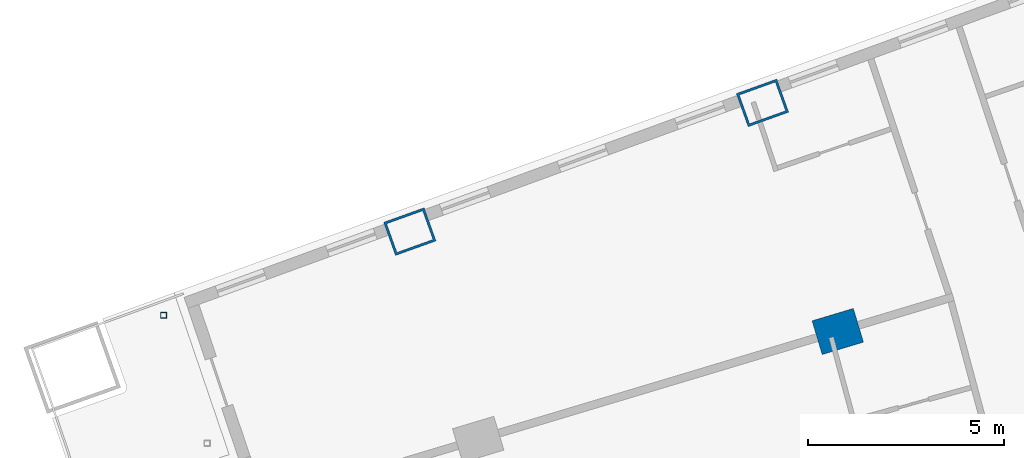
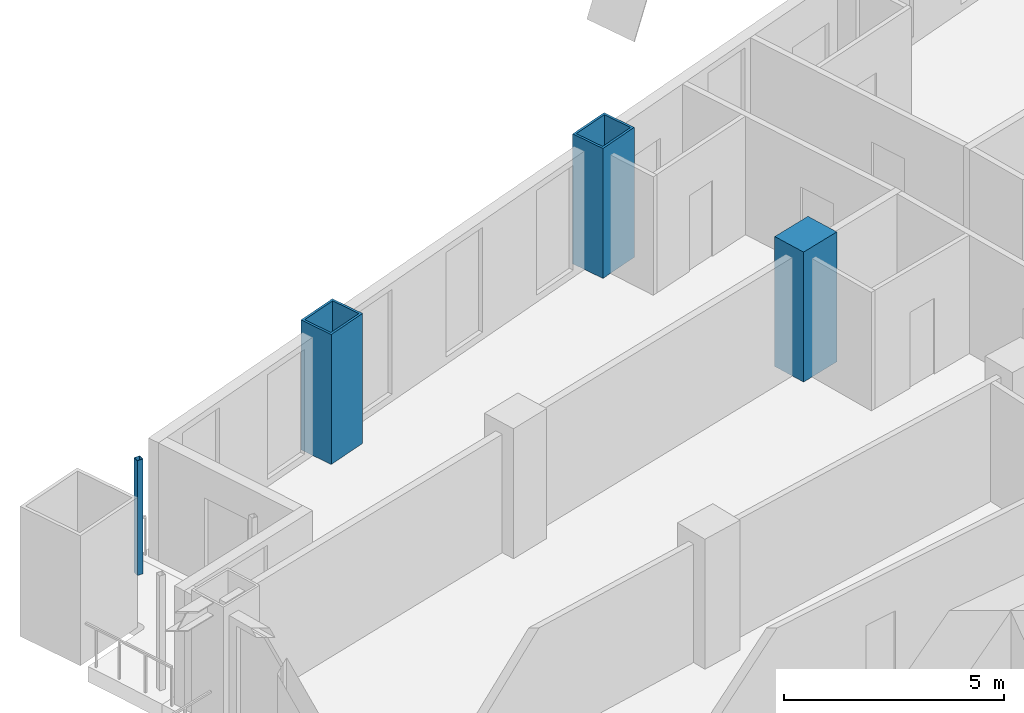
# One storey, part 9 of 25: 4 columns.
"""IFC4 building model written with IfcOpenShell, lengths in metres."""

import ifcopenshell
import ifcopenshell.guid

model = None  # the IFC model being written
_history = None  # IfcOwnerHistory: only IFC2X3 demands one
_inside = {}  # id of a spatial element -> (the spatial element, [elements in it])
_under = {}  # id of a project, library or spatial element -> (it, [spatial elements below it])
_declared = {}  # id of a project -> (the project, [libraries it declares])
_typed = {}  # id of a type object -> (the type object, [elements of that type])
_made_of = {}  # id of a material, layer set ... -> (it, [elements and type objects made of it])


def new_model(schema):
    """Start an empty IFC model of exactly this schema.

    Asked for "IFC4X3", IfcOpenShell would pick the latest addendum, in which some entities
    have other attributes; the version numbers below select the first issue.
    IFC2X3 requires an IfcOwnerHistory on every rooted entity: one is made here for all.
    """
    global model, _history
    if schema == "IFC4X3":
        model = ifcopenshell.file(schema_version=(4, 3, 0, 0))
    else:
        model = ifcopenshell.file(schema=schema)
    _inside.clear()
    _under.clear()
    _declared.clear()
    _typed.clear()
    _made_of.clear()
    _history = None
    if model.schema == "IFC2X3":
        org = make("IfcOrganization", Name="unknown")
        user = make(
            "IfcPersonAndOrganization",
            ThePerson=make("IfcPerson", FamilyName="unknown"),
            TheOrganization=org,
        )
        app = make(
            "IfcApplication",
            ApplicationDeveloper=org,
            Version="unknown",
            ApplicationFullName="unknown",
            ApplicationIdentifier="unknown",
        )
        _history = make(
            "IfcOwnerHistory",
            OwningUser=user,
            OwningApplication=app,
            ChangeAction="ADDED",
            CreationDate=0,
        )
    return model


def make(cls, **values):
    """One entity of the class cls with the attributes given. An attribute that is None is left unset."""
    return model.create_entity(
        cls, **{name: value for name, value in values.items() if value is not None}
    )


def rooted(cls, **values):
    """An entity with a GlobalId (a new one), such as an element, a storey or a relation."""
    return make(cls, GlobalId=ifcopenshell.guid.new(), OwnerHistory=_history, **values)


def si_unit(unit_type, name, prefix=None):
    """IfcSIUnit, for example si_unit("LENGTHUNIT", "METRE", prefix="MILLI")."""
    return make("IfcSIUnit", UnitType=unit_type, Prefix=prefix, Name=name)


def assignment(units):
    """IfcUnitAssignment: the units of a project."""
    return None if units is None else make("IfcUnitAssignment", Units=units)


def point(xyz):
    """IfcCartesianPoint."""
    return None if xyz is None else make("IfcCartesianPoint", Coordinates=xyz)


def direction(xyz):
    """IfcDirection."""
    return None if xyz is None else make("IfcDirection", DirectionRatios=xyz)


def frame(location, z_axis=None, x_axis=None):
    """IfcAxis2Placement3D, a coordinate frame: its origin and axes. An axis left out is left unset."""
    return make(
        "IfcAxis2Placement3D",
        Location=point(location),
        Axis=direction(z_axis),
        RefDirection=direction(x_axis),
    )


def frame_2d(location, x_axis=None):
    """IfcAxis2Placement2D, a coordinate frame in the plane: its origin and x axis."""
    return make(
        "IfcAxis2Placement2D", Location=point(location), RefDirection=direction(x_axis)
    )


def origin():
    """The frame at (0, 0, 0) with its axes left unset."""
    return frame((0.0, 0.0, 0.0))


def origin_2d():
    """The frame at (0, 0) in the plane with its x axis left unset."""
    return frame_2d((0.0, 0.0))


def place(relative_to, where):
    """IfcLocalPlacement: puts the frame where relative to a parent placement (None: the world)."""
    return make(
        "IfcLocalPlacement", PlacementRelTo=relative_to, RelativePlacement=where
    )


def context(
    kind, dimensions, precision=None, world=None, true_north=None, identifier=None
):
    """IfcGeometricRepresentationContext, for example the 3D "Model" context."""
    return make(
        "IfcGeometricRepresentationContext",
        ContextIdentifier=identifier,
        ContextType=kind,
        CoordinateSpaceDimension=dimensions,
        Precision=precision,
        WorldCoordinateSystem=world,
        TrueNorth=true_north,
    )


def subcontext(parent, identifier, kind, view, scale=None):
    """IfcGeometricRepresentationSubContext, for example "Body" below "Model"."""
    return make(
        "IfcGeometricRepresentationSubContext",
        ContextIdentifier=identifier,
        ContextType=kind,
        ParentContext=parent,
        TargetScale=scale,
        TargetView=view,
    )


def project(units=None, contexts=None):
    """IfcProject with its units and contexts."""
    return rooted(
        "IfcProject",
        Name="project",
        RepresentationContexts=contexts,
        UnitsInContext=assignment(units),
    )


def spatial(cls, under=None, at=None, **own):
    """A site, building, storey or space (cls), placed at a placement, below another one or the project."""
    s = rooted(cls, ObjectPlacement=at, **own)
    if under is not None:
        _under.setdefault(under.id(), (under, []))[1].append(s)
    return s


def profile(cls, at=None, kind="AREA", **sizes):
    """A parametric profile (cls). Its sizes go by their IFC names, for example OverallWidth=200.0."""
    return make(cls, ProfileType=kind, Position=at, **sizes)


def rectangle(**sizes):
    """IfcRectangleProfileDef."""
    return profile("IfcRectangleProfileDef", **sizes)


def hollow_rectangle(**sizes):
    """IfcRectangleHollowProfileDef."""
    return profile("IfcRectangleHollowProfileDef", **sizes)


def extrude(swept, where, along, depth):
    """IfcExtrudedAreaSolid: the profile swept, set in the frame where, extruded along a direction by depth."""
    return make(
        "IfcExtrudedAreaSolid",
        SweptArea=swept,
        Position=where,
        ExtrudedDirection=direction(along),
        Depth=depth,
    )


def shape(context_of_items, identifier, shape_type, items):
    """IfcShapeRepresentation: the items that make up one representation, for example the "Body"."""
    return make(
        "IfcShapeRepresentation",
        ContextOfItems=context_of_items,
        RepresentationIdentifier=identifier,
        RepresentationType=shape_type,
        Items=items,
    )


def material(Name=None, Category=None):
    """IfcMaterial."""
    return make("IfcMaterial", Name=Name, Category=Category)


def material_profile(
    of_material, cross_section, Name=None, Category=None, Priority=None
):
    """IfcMaterialProfile: a cross section and its material."""
    return make(
        "IfcMaterialProfile",
        Name=Name,
        Material=of_material,
        Profile=cross_section,
        Priority=Priority,
        Category=Category,
    )


def profile_set(profiles, Name=None, composite=None):
    """IfcMaterialProfileSet."""
    return make(
        "IfcMaterialProfileSet",
        Name=Name,
        MaterialProfiles=profiles,
        CompositeProfile=composite,
    )


def made_of(thing, what):
    """Note that an element or type object is made of a material, layer set ...; save() writes the relation."""
    if what is not None:
        _made_of.setdefault(what.id(), (what, []))[1].append(thing)
    return thing


def type_object(cls, material=None, **own):
    """A type object (cls), such as IfcWallType, which elements share."""
    return made_of(rooted(cls, **own), material)


def element(
    cls,
    number,
    at=None,
    inside=None,
    cuts=None,
    type_object=None,
    material=None,
    context=None,
    identifier="Body",
    shape_type=None,
    held_by="IfcProductDefinitionShape",
    body=None,
    shapes=None,
    **own,
):
    """One element of the class cls, such as IfcWall. Its Tag is "e" and its number.

    at: its placement. inside: the storey or other place that contains it. cuts: it is an
    opening in that element (IfcRelVoidsElement). A single representation is given by context,
    identifier, shape_type and body (its items); several are given by shapes. held_by: the class
    of the entity that holds the representations. save() writes the other relations.
    """
    e = rooted(cls, Tag="e%d" % number, ObjectPlacement=at, **own)
    if body is not None:
        shapes = [shape(context, identifier, shape_type, body)]
    if shapes is not None:
        e.Representation = make(held_by, Representations=shapes)
    if inside is not None:
        _inside.setdefault(inside.id(), (inside, []))[1].append(e)
    if cuts is not None:
        rooted(
            "IfcRelVoidsElement", RelatingBuildingElement=cuts, RelatedOpeningElement=e
        )
    if type_object is not None:
        _typed.setdefault(type_object.id(), (type_object, []))[1].append(e)
    return made_of(e, material)


def aggregate(whole, parts):
    """IfcRelAggregates: a whole, such as a stair, and the parts it consists of."""
    return rooted("IfcRelAggregates", RelatingObject=whole, RelatedObjects=parts)


def save(model, path):
    """Write the relations noted so far, then the file.

    IfcRelAggregates (storeys below a building ...), IfcRelContainedInSpatialStructure (elements
    in a storey), IfcRelDefinesByType, IfcRelAssociatesMaterial and IfcRelDeclares: one each for
    every whole, place, type object, material and project.
    """
    for whole, parts in _under.values():
        aggregate(whole, parts)
    for where, things in _inside.values():
        rooted(
            "IfcRelContainedInSpatialStructure",
            RelatedElements=things,
            RelatingStructure=where,
        )
    for kind, things in _typed.values():
        rooted("IfcRelDefinesByType", RelatedObjects=things, RelatingType=kind)
    for what, things in _made_of.values():
        rooted("IfcRelAssociatesMaterial", RelatedObjects=things, RelatingMaterial=what)
    for by, libraries in _declared.values():
        rooted("IfcRelDeclares", RelatingContext=by, RelatedDefinitions=libraries)
    model.write(path)


model = new_model("IFC4")

# Units and contexts
model_context = context("Model", 3, precision=1e-05, world=origin(), true_north=direction((0.0, 1.0)))
body_context = subcontext(model_context, "Body", "Model", "MODEL_VIEW")
ifc_project = project(units=[si_unit("LENGTHUNIT", "METRE"), si_unit("AREAUNIT", "SQUARE_METRE"), si_unit("VOLUMEUNIT", "CUBIC_METRE"), si_unit("PLANEANGLEUNIT", "RADIAN"), si_unit("MASSUNIT", "GRAM", prefix="KILO")], contexts=[model_context])

# Site, building, storey
site_placement = place(None, origin())
site = spatial("IfcSite", under=ifc_project, at=site_placement, CompositionType="ELEMENT")
building_placement = place(site_placement, origin())
building = spatial("IfcBuilding", under=site, at=building_placement, Name="Alderwake Tower", CompositionType="ELEMENT")
storey_placement = place(building_placement, frame((0.0, 0.0, 60.800048828125)))
storey = spatial("IfcBuildingStorey", under=building, at=storey_placement, Name="L14", CompositionType="ELEMENT", Elevation=60.800048828125)

# Columns
ifc_material_1 = material(Name="Steel ASTM A572 Grade 50 concrete filled C70/85", Category="concrete")
ifc_material_profile_1 = material_profile(ifc_material_1, hollow_rectangle(XDim=0.89990234375, YDim=1.10009765625, WallThickness=0.06005859375, at=origin_2d()), Name="BOX 1100X900X60")
ifc_profile_set_1 = profile_set([ifc_material_profile_1], Name="Steel ASTM A572 Grade 50 concrete filled C70/85")
column_type_1 = type_object("IfcColumnType", Name="End column Z1", PredefinedType="COLUMN", material=ifc_profile_set_1)
for number, where, z_axis, x_axis, name in (
    (1, (19.965576171875, 96.8515625, 0.0), (0.0, 0.0, 1.0), (-0.337584879279, 0.9412950915, 0.0), "Column R13-C1"),
    (2, (28.983642578125, 100.143310546875, 0.0), (0.0, 0.0, 1.0), (-0.338026774049, 0.941136493834, 0.0), "Column R13-C2"),
):
    element("IfcColumn", number, at=place(storey_placement, frame(where, z_axis=z_axis, x_axis=x_axis)), inside=storey, type_object=column_type_1, Name=name, PredefinedType="COLUMN", context=body_context, shape_type="SweptSolid", body=[
        extrude(hollow_rectangle(XDim=0.89990234375, YDim=1.10009765625, WallThickness=0.06005859375, at=origin_2d()), origin(), (0.0, 0.0, 1.0), 3.599853515625),
    ])
ifc_material_2 = material(Name="Concrete C70/85", Category="concrete")
ifc_material_profile_2 = material_profile(ifc_material_2, rectangle(XDim=0.89990234375, YDim=1.10009765625, at=origin_2d()), Name="RC 1100X900")
ifc_profile_set_2 = profile_set([ifc_material_profile_2], Name="Concrete C70/85")
column_type_2 = type_object("IfcColumnType", Name="Interior column Z1", PredefinedType="COLUMN", material=ifc_profile_set_2)
column_1_placement = place(storey_placement, frame((30.9091796875, 94.298095703125, 0.0), z_axis=(0.0, 0.0, 1.0), x_axis=(-0.287549418125, 0.957765802342, 0.0)))
element("IfcColumn", 3, at=column_1_placement, inside=storey, type_object=column_type_2, Name="Column R12-C2", PredefinedType="COLUMN", context=body_context, shape_type="SweptSolid", body=[
    extrude(rectangle(XDim=0.89990234375, YDim=1.10009765625, at=origin_2d()), origin(), (0.0, 0.0, 1.0), 3.599853515625),
])
ifc_material_3 = material(Name="Steel ASTM A500 Grade C", Category="steel")
ifc_material_profile_3 = material_profile(ifc_material_3, hollow_rectangle(XDim=0.15234375, YDim=0.15234375, WallThickness=0.0087890625, at=origin_2d()), Name="HSS6X6X3/8")
ifc_profile_set_3 = profile_set([ifc_material_profile_3], Name="Steel ASTM A500 Grade C")
column_type_3 = type_object("IfcColumnType", Name="Light post HSS6X6X3/8", PredefinedType="COLUMN", material=ifc_profile_set_3)
column_2_placement = place(storey_placement, frame((13.66796875, 94.71240234375, 0.0), z_axis=(0.0, 0.0, 1.0), x_axis=(1.0, 0.0, 0.0)))
element("IfcColumn", 4, at=column_2_placement, inside=storey, type_object=column_type_3, Name="Terrace post RN2", PredefinedType="COLUMN", context=body_context, shape_type="SweptSolid", body=[
    extrude(hollow_rectangle(XDim=0.15234375, YDim=0.15234375, WallThickness=0.0087890625, at=origin_2d()), origin(), (0.0, 0.0, 1.0), 3.179931640625),
])

save(model, "model.ifc")
